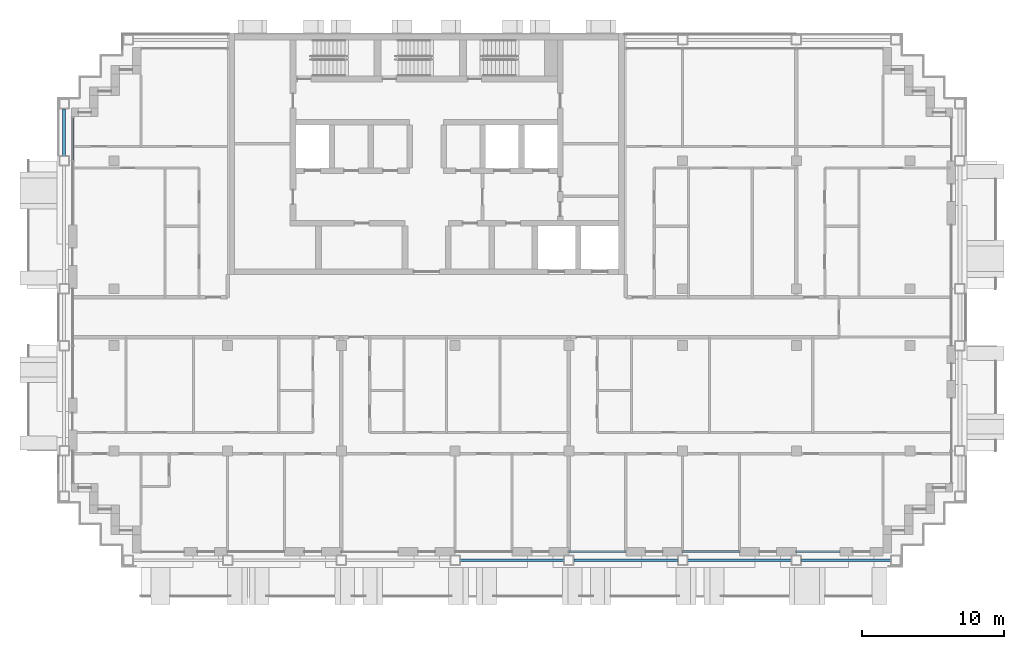
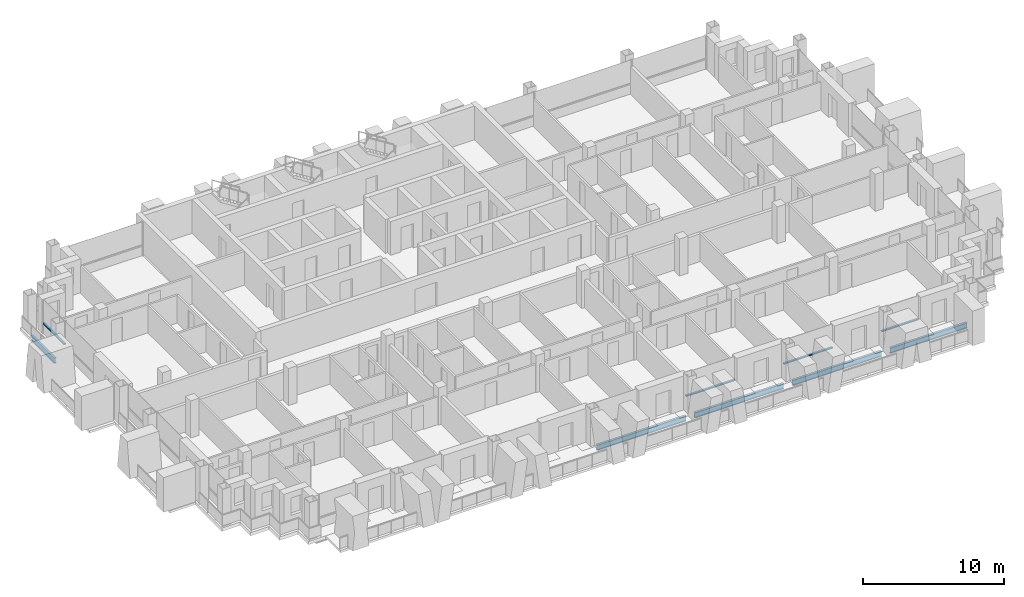
# One storey, part 3 of 16: 5 beams, 4 members, 4 elements without a shape of their own.
"""IFC4 building model written with IfcOpenShell, lengths in metres."""

from ifc_helpers import new_model, si_unit, direction, frame, origin, origin_2d, place, context, subcontext, project, spatial, rectangle, i_section, extrude, material, material_profile, profile_set, type_object, element, aggregate, save


model = new_model("IFC4")

# Units and contexts
model_context = context("Model", 3, precision=1e-05, world=origin(), true_north=direction((0.0, 1.0)))
body_context = subcontext(model_context, "Body", "Model", "MODEL_VIEW")
ifc_project = project(units=[si_unit("LENGTHUNIT", "METRE"), si_unit("AREAUNIT", "SQUARE_METRE"), si_unit("VOLUMEUNIT", "CUBIC_METRE"), si_unit("PLANEANGLEUNIT", "RADIAN"), si_unit("MASSUNIT", "GRAM", prefix="KILO")], contexts=[model_context])

# Site, building, storey
site_placement = place(None, origin())
site = spatial("IfcSite", under=ifc_project, at=site_placement, CompositionType="ELEMENT")
building_placement = place(site_placement, origin())
building = spatial("IfcBuilding", under=site, at=building_placement, Name="Vidyagriha Tower", CompositionType="ELEMENT")
storey_placement = place(building_placement, frame((0.0, 0.0, 171.699951171875)))
storey = spatial("IfcBuildingStorey", under=building, at=storey_placement, Name="L44", CompositionType="ELEMENT", Elevation=171.699951171875)

# Beams
ifc_material_1 = material(Name="Steel ASTM A992 Grade 50", Category="steel")
ifc_material_profile_1 = material_profile(ifc_material_1, i_section(OverallWidth=0.19189453125, OverallDepth=0.46240234375, WebThickness=0.010498046875, FlangeThickness=0.017578125, at=origin_2d()), Name="W18X60")
ifc_profile_set_1 = profile_set([ifc_material_profile_1], Name="Steel ASTM A992 Grade 50")
beam_type = type_object("IfcBeamType", Name="Edge beam W18X60", PredefinedType="SPANDREL", material=ifc_profile_set_1)
for number, where, z_axis, x_axis, name in (
    (1, (2.35009765625, -17.10009765625, -0.510986328125), (1.0, 0.0, 0.0), (0.0, 1.0, 0.0), "st-beam-L44-S04"),
    (2, (10.35009765625, -17.10009765625, -0.510986328125), (1.0, 0.0, 0.0), (0.0, 1.0, 0.0), "st-beam-L44-S05"),
    (3, (18.35009765625, -17.10009765625, -0.510986328125), (1.0, 0.0, 0.0), (0.0, 1.0, 0.0), "st-beam-L44-S06"),
):
    element("IfcBeam", number, at=place(storey_placement, frame(where, z_axis=z_axis, x_axis=x_axis)), inside=storey, type_object=beam_type, Name=name, PredefinedType="SPANDREL", context=body_context, shape_type="SweptSolid", body=[
        extrude(i_section(OverallWidth=0.19189453125, OverallDepth=0.46240234375, WebThickness=0.010498046875, FlangeThickness=0.017578125, at=origin_2d()), origin(), (0.0, 0.0, 1.0), 7.2998046875),
    ])
beam_1_placement = place(storey_placement, frame((26.35009765625, -17.10009765625, -0.510986328125), z_axis=(1.0, 0.0, 0.0), x_axis=(0.0, 1.0, 0.0)))
element("IfcBeam", 4, at=beam_1_placement, inside=storey, type_object=beam_type, Name="st-beam-L44-S07", PredefinedType="SPANDREL", context=body_context, shape_type="SweptSolid", body=[
    extrude(i_section(OverallWidth=0.19189453125, OverallDepth=0.46240234375, WebThickness=0.010498046875, FlangeThickness=0.017578125, at=origin_2d()), origin(), (0.0, 0.0, 1.0), 6.2998046875),
])
beam_2_placement = place(storey_placement, frame((-25.5, 11.35009765625, -0.510986328125), z_axis=(0.0, 1.0, 0.0), x_axis=(-1.0, 0.0, 0.0)))
element("IfcBeam", 5, at=beam_2_placement, inside=storey, type_object=beam_type, Name="st-beam-L44-W12", PredefinedType="SPANDREL", context=body_context, shape_type="SweptSolid", body=[
    extrude(i_section(OverallWidth=0.19189453125, OverallDepth=0.46240234375, WebThickness=0.010498046875, FlangeThickness=0.017578125, at=origin_2d()), origin(), (0.0, 0.0, 1.0), 3.2998046875),
])

# Curtain wall, member
ifc_material_2 = material(Name="Aluminium and glass curtain wall", Category="aluminium")
curtain_wall_type = type_object("IfcCurtainWallType", Name="Dwelling skin unitised curtain wall", PredefinedType="USERDEFINED", material=ifc_material_2)
curtain_wall_1_placement = place(storey_placement, origin())
curtain_wall_1 = element("IfcCurtainWall", 6, at=curtain_wall_1_placement, inside=storey, type_object=curtain_wall_type, Name="CW1 dwelling skin", ObjectType="UNITISED", PredefinedType="USERDEFINED")
ifc_material_3 = material(Name="Aluminium black anodised", Category="aluminium")
ifc_material_profile_2 = material_profile(ifc_material_3, rectangle(XDim=0.159912109375, YDim=0.10009765625, at=origin_2d()), Name="Transom 100x160 black aluminium")
ifc_profile_set_2 = profile_set([ifc_material_profile_2], Name="Aluminium black anodised")
member_type = type_object("IfcMemberType", Name="Transom 100x160 black aluminium", PredefinedType="USERDEFINED", material=ifc_profile_set_2)
member_1_placement = place(storey_placement, frame((-24.89990234375, 14.030029296875, 0.900146484375), z_axis=(0.0, -1.0, 0.0), x_axis=(1.0, 0.0, 0.0)))
member_1 = element("IfcMember", 7, at=member_1_placement, type_object=member_type, Name="CW1 transom 1.1", ObjectType="TRANSOM", PredefinedType="USERDEFINED", context=body_context, shape_type="SweptSolid", body=[
    extrude(rectangle(XDim=0.159912109375, YDim=0.10009765625, at=origin_2d()), origin(), (0.0, 0.0, 1.0), 2.9951171875),
])
aggregate(curtain_wall_1, [member_1])

curtain_wall_2_placement = place(storey_placement, origin())
curtain_wall_2 = element("IfcCurtainWall", 8, at=curtain_wall_2_placement, inside=storey, type_object=curtain_wall_type, Name="CW1 dwelling skin", ObjectType="UNITISED", PredefinedType="USERDEFINED")
member_2_placement = place(storey_placement, frame((10.0, -16.5, 0.900146484375), z_axis=(1.0, 0.0, 0.0), x_axis=(0.0, 1.0, 0.0)))
member_2 = element("IfcMember", 9, at=member_2_placement, type_object=member_type, Name="CW1 transom 1.1", ObjectType="TRANSOM", PredefinedType="USERDEFINED", context=body_context, shape_type="SweptSolid", body=[
    extrude(rectangle(XDim=0.159912109375, YDim=0.10009765625, at=origin_2d()), origin(), (0.0, 0.0, 1.0), 4.0),
])
aggregate(curtain_wall_2, [member_2])

curtain_wall_3_placement = place(storey_placement, origin())
curtain_wall_3 = element("IfcCurtainWall", 10, at=curtain_wall_3_placement, inside=storey, type_object=curtain_wall_type, Name="CW1 dwelling skin", ObjectType="UNITISED", PredefinedType="USERDEFINED")
member_3_placement = place(storey_placement, frame((18.0, -16.5, 0.900146484375), z_axis=(1.0, 0.0, 0.0), x_axis=(0.0, 1.0, 0.0)))
member_3 = element("IfcMember", 11, at=member_3_placement, type_object=member_type, Name="CW1 transom 1.1", ObjectType="TRANSOM", PredefinedType="USERDEFINED", context=body_context, shape_type="SweptSolid", body=[
    extrude(rectangle(XDim=0.159912109375, YDim=0.10009765625, at=origin_2d()), origin(), (0.0, 0.0, 1.0), 4.0),
])
aggregate(curtain_wall_3, [member_3])

curtain_wall_4_placement = place(storey_placement, origin())
curtain_wall_4 = element("IfcCurtainWall", 12, at=curtain_wall_4_placement, inside=storey, type_object=curtain_wall_type, Name="CW1 dwelling skin", ObjectType="UNITISED", PredefinedType="USERDEFINED")
member_4_placement = place(storey_placement, frame((26.0, -16.5, 0.900146484375), z_axis=(1.0, 0.0, 0.0), x_axis=(0.0, 1.0, 0.0)))
member_4 = element("IfcMember", 13, at=member_4_placement, type_object=member_type, Name="CW1 transom 1.1", ObjectType="TRANSOM", PredefinedType="USERDEFINED", context=body_context, shape_type="SweptSolid", body=[
    extrude(rectangle(XDim=0.159912109375, YDim=0.10009765625, at=origin_2d()), origin(), (0.0, 0.0, 1.0), 3.050048828125),
])
aggregate(curtain_wall_4, [member_4])

save(model, "model.ifc")
